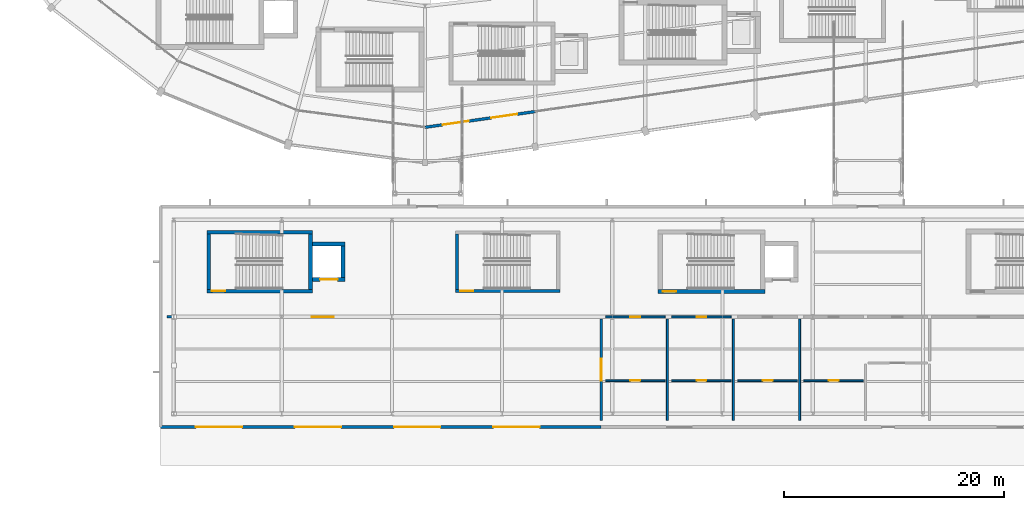
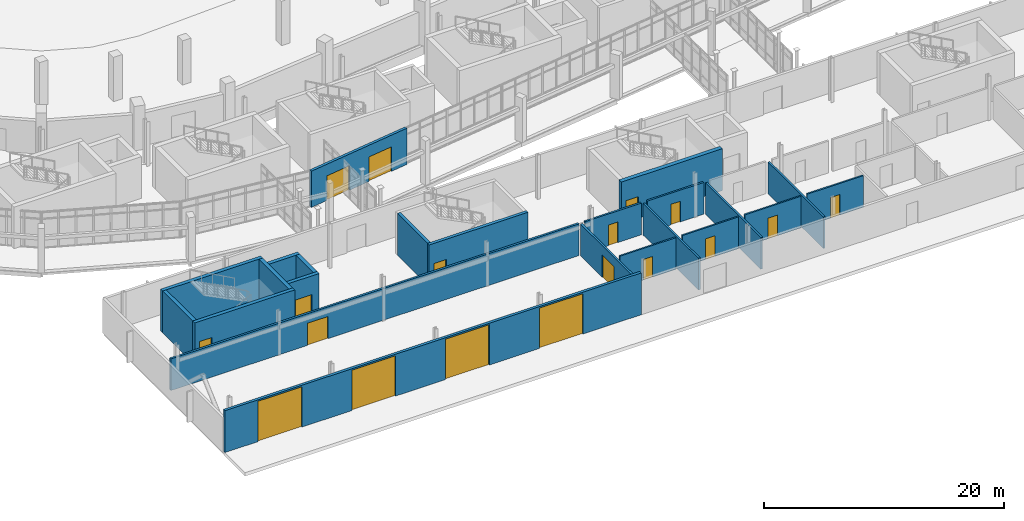
# One storey, part 100 of 122: 23 walls, 18 doors, 18 openings.
"""IFC4 building model written with IfcOpenShell, lengths in metres."""

from ifc_helpers import new_model, si_unit, direction, frame, frame_2d, origin, place, context, subcontext, project, spatial, rectangle, extrude, material, layer, layer_set, type_object, element, fill, save


model = new_model("IFC4")

# Units and contexts
model_context = context("Model", 3, precision=1e-05, world=origin(), true_north=direction((0.0, 1.0)))
body_context = subcontext(model_context, "Body", "Model", "MODEL_VIEW")
ifc_project = project(units=[si_unit("LENGTHUNIT", "METRE"), si_unit("AREAUNIT", "SQUARE_METRE"), si_unit("VOLUMEUNIT", "CUBIC_METRE"), si_unit("PLANEANGLEUNIT", "RADIAN"), si_unit("MASSUNIT", "GRAM", prefix="KILO")], contexts=[model_context])

# Site, building, storey
site_placement = place(None, origin())
site = spatial("IfcSite", under=ifc_project, at=site_placement, CompositionType="ELEMENT")
building_placement = place(site_placement, origin())
building = spatial("IfcBuilding", under=site, at=building_placement, Name="Sohan Crest Arena", CompositionType="ELEMENT")
storey_placement = place(building_placement, origin())
storey = spatial("IfcBuildingStorey", under=building, at=storey_placement, Name="L00", CompositionType="ELEMENT", Elevation=0.0)

# Wall, openings, doors
ifc_material_1 = material(Name="Margalla limestone ashlar envelope wall", Category="masonry")
ifc_layer_1 = layer(ifc_material_1, 0.260009765625, Name="Margalla limestone ashlar envelope wall")
ifc_layer_set_1 = layer_set([ifc_layer_1], Name="Margalla limestone ashlar envelope wall")
wall_type_1 = type_object("IfcWallType", Name="WAL-EW01", PredefinedType="SOLIDWALL", material=ifc_layer_set_1)
wall_1_placement = place(storey_placement, frame((98.0, 33.199951171875, 0.0), z_axis=(0.0, 0.0, 1.0), x_axis=(0.989944175879, 0.141458575718, 0.0)))
wall_1 = element("IfcWall", 1, at=wall_1_placement, inside=storey, type_object=wall_type_1, Name="External wall EW-078", PredefinedType="SOLIDWALL", context=body_context, shape_type="SweptSolid", body=[
    extrude(rectangle(XDim=10.1015625, YDim=0.260009765625, at=frame_2d((5.05078125, 0.0))), origin(), (0.0, 0.0, 1.0), 3.679931640625),
])
opening_1_placement = place(wall_1_placement, frame((1.6279296875, 0.0, 0.0)))
opening_1 = element("IfcOpeningElement", 2, at=opening_1_placement, cuts=wall_1, Name="Opening G05", PredefinedType="OPENING", context=body_context, shape_type="SweptSolid", body=[
    extrude(rectangle(XDim=2.39990234375, YDim=2.5, at=frame_2d((1.199951171875, 1.25))), frame((0.0, 0.139892578125, 0.0), z_axis=(0.0, -1.0, 0.0), x_axis=(1.0, 0.0, 0.0)), (0.0, 0.0, 1.0), 0.280029296875),
])
opening_2_placement = place(wall_1_placement, frame((6.072998046875, 0.0, 0.0)))
opening_2 = element("IfcOpeningElement", 3, at=opening_2_placement, cuts=wall_1, Name="Opening G06", PredefinedType="OPENING", context=body_context, shape_type="SweptSolid", body=[
    extrude(rectangle(XDim=2.39990234375, YDim=2.5, at=frame_2d((1.199951171875, 1.25))), frame((0.0, 0.139892578125, 0.0), z_axis=(0.0, -1.0, 0.0), x_axis=(1.0, 0.0, 0.0)), (0.0, 0.0, 1.0), 0.280029296875),
])
ifc_material_2 = material(Name="Galvanised steel acoustic final exit door", Category="steel")
door_type_1 = type_object("IfcDoorType", Name="DR-G01", OperationType="DOUBLE_DOOR_SINGLE_SWING", PredefinedType="DOOR", material=ifc_material_2)
door_1_placement = place(opening_1_placement, frame((2.39990234375, 0.0, 0.0), z_axis=(0.0, 0.0, 1.0), x_axis=(-1.0, 0.0, 0.0)))
door_1 = element("IfcDoor", 4, at=door_1_placement, inside=storey, type_object=door_type_1, Name="Pedestrian exit gate G05", OperationType="DOUBLE_DOOR_SINGLE_SWING", OverallHeight=2.5, OverallWidth=2.39990234375, PredefinedType="DOOR", context=body_context, shape_type="SweptSolid", body=[
    extrude(rectangle(XDim=2.39990234375, YDim=2.5, at=frame_2d((1.199951171875, 1.25))), frame((0.0, 0.02490234375, 0.0), z_axis=(0.0, -1.0, 0.0), x_axis=(1.0, 0.0, 0.0)), (0.0, 0.0, 1.0), 0.050048828125),
])
fill(opening_1, door_1)
door_2_placement = place(opening_2_placement, frame((2.39990234375, 0.0, 0.0), z_axis=(0.0, 0.0, 1.0), x_axis=(-1.0, 0.0, 0.0)))
door_2 = element("IfcDoor", 5, at=door_2_placement, inside=storey, type_object=door_type_1, Name="Pedestrian exit gate G06", OperationType="DOUBLE_DOOR_SINGLE_SWING", OverallHeight=2.5, OverallWidth=2.39990234375, PredefinedType="DOOR", context=body_context, shape_type="SweptSolid", body=[
    extrude(rectangle(XDim=2.39990234375, YDim=2.5, at=frame_2d((1.199951171875, 1.25))), frame((0.0, 0.02490234375, 0.0), z_axis=(0.0, -1.0, 0.0), x_axis=(1.0, 0.0, 0.0)), (0.0, 0.0, 1.0), 0.050048828125),
])
fill(opening_2, door_2)

wall_2_placement = place(storey_placement, frame((74.0, 6.0, 0.0), z_axis=(0.0, 0.0, 1.0), x_axis=(1.0, 0.0, 0.0)))
wall_2 = element("IfcWall", 6, at=wall_2_placement, inside=storey, type_object=wall_type_1, Name="External wall EW-125", PredefinedType="SOLIDWALL", context=body_context, shape_type="SweptSolid", body=[
    extrude(rectangle(XDim=40.0, YDim=0.260009765625, at=frame_2d((20.0, 0.0))), origin(), (0.0, 0.0, 1.0), 4.25),
])
opening_3_placement = place(wall_2_placement, frame((3.199951171875, 0.0, 0.0)))
opening_3 = element("IfcOpeningElement", 7, at=opening_3_placement, cuts=wall_2, Name="Opening VD-01", PredefinedType="OPENING", context=body_context, shape_type="SweptSolid", body=[
    extrude(rectangle(XDim=4.199951171875, YDim=4.10009765625, at=frame_2d((2.10009765625, 2.050048828125))), frame((0.0, 0.139892578125, 0.0), z_axis=(0.0, -1.0, 0.0), x_axis=(1.0, 0.0, 0.0)), (0.0, 0.0, 1.0), 0.280029296875),
])
opening_4_placement = place(wall_2_placement, frame((12.199951171875, 0.0, 0.0)))
opening_4 = element("IfcOpeningElement", 8, at=opening_4_placement, cuts=wall_2, Name="Opening VD-02", PredefinedType="OPENING", context=body_context, shape_type="SweptSolid", body=[
    extrude(rectangle(XDim=4.199951171875, YDim=4.10009765625, at=frame_2d((2.10009765625, 2.050048828125))), frame((0.0, 0.139892578125, 0.0), z_axis=(0.0, -1.0, 0.0), x_axis=(1.0, 0.0, 0.0)), (0.0, 0.0, 1.0), 0.280029296875),
])
opening_5_placement = place(wall_2_placement, frame((21.199951171875, 0.0, 0.0)))
opening_5 = element("IfcOpeningElement", 9, at=opening_5_placement, cuts=wall_2, Name="Opening VD-03", PredefinedType="OPENING", context=body_context, shape_type="SweptSolid", body=[
    extrude(rectangle(XDim=4.199951171875, YDim=4.10009765625, at=frame_2d((2.10009765625, 2.050048828125))), frame((0.0, 0.139892578125, 0.0), z_axis=(0.0, -1.0, 0.0), x_axis=(1.0, 0.0, 0.0)), (0.0, 0.0, 1.0), 0.280029296875),
])
opening_6_placement = place(wall_2_placement, frame((30.199951171875, 0.0, 0.0)))
opening_6 = element("IfcOpeningElement", 10, at=opening_6_placement, cuts=wall_2, Name="Opening VD-04", PredefinedType="OPENING", context=body_context, shape_type="SweptSolid", body=[
    extrude(rectangle(XDim=4.199951171875, YDim=4.10009765625, at=frame_2d((2.10009765625, 2.050048828125))), frame((0.0, 0.139892578125, 0.0), z_axis=(0.0, -1.0, 0.0), x_axis=(1.0, 0.0, 0.0)), (0.0, 0.0, 1.0), 0.280029296875),
])
ifc_material_3 = material(Name="Insulated motorised steel broadcast bay shutter", Category="steel")
door_type_2 = type_object("IfcDoorType", Name="DR-VD02", OperationType="ROLLINGUP", PredefinedType="DOOR", material=ifc_material_3)
door_3_placement = place(opening_3_placement, frame((4.199951171875, 0.0, 0.0), z_axis=(0.0, 0.0, 1.0), x_axis=(-1.0, 0.0, 0.0)))
door_3 = element("IfcDoor", 11, at=door_3_placement, inside=storey, type_object=door_type_2, Name="Truck loading dock roller shutter VD-01", OperationType="ROLLINGUP", OverallHeight=4.10009765625, OverallWidth=4.199951171875, PredefinedType="DOOR", context=body_context, shape_type="SweptSolid", body=[
    extrude(rectangle(XDim=4.199951171875, YDim=4.10009765625, at=frame_2d((2.10009765625, 2.050048828125))), frame((0.0, 0.02490234375, 0.0), z_axis=(0.0, -1.0, 0.0), x_axis=(1.0, 0.0, 0.0)), (0.0, 0.0, 1.0), 0.050048828125),
])
fill(opening_3, door_3)
door_4_placement = place(opening_4_placement, frame((4.199951171875, 0.0, 0.0), z_axis=(0.0, 0.0, 1.0), x_axis=(-1.0, 0.0, 0.0)))
door_4 = element("IfcDoor", 12, at=door_4_placement, inside=storey, type_object=door_type_2, Name="Truck loading dock roller shutter VD-02", OperationType="ROLLINGUP", OverallHeight=4.10009765625, OverallWidth=4.199951171875, PredefinedType="DOOR", context=body_context, shape_type="SweptSolid", body=[
    extrude(rectangle(XDim=4.199951171875, YDim=4.10009765625, at=frame_2d((2.10009765625, 2.050048828125))), frame((0.0, 0.02490234375, 0.0), z_axis=(0.0, -1.0, 0.0), x_axis=(1.0, 0.0, 0.0)), (0.0, 0.0, 1.0), 0.050048828125),
])
fill(opening_4, door_4)
door_5_placement = place(opening_5_placement, frame((4.199951171875, 0.0, 0.0), z_axis=(0.0, 0.0, 1.0), x_axis=(-1.0, 0.0, 0.0)))
door_5 = element("IfcDoor", 13, at=door_5_placement, inside=storey, type_object=door_type_2, Name="Truck loading dock roller shutter VD-03", OperationType="ROLLINGUP", OverallHeight=4.10009765625, OverallWidth=4.199951171875, PredefinedType="DOOR", context=body_context, shape_type="SweptSolid", body=[
    extrude(rectangle(XDim=4.199951171875, YDim=4.10009765625, at=frame_2d((2.10009765625, 2.050048828125))), frame((0.0, 0.02490234375, 0.0), z_axis=(0.0, -1.0, 0.0), x_axis=(1.0, 0.0, 0.0)), (0.0, 0.0, 1.0), 0.050048828125),
])
fill(opening_5, door_5)
door_6_placement = place(opening_6_placement, frame((4.199951171875, 0.0, 0.0), z_axis=(0.0, 0.0, 1.0), x_axis=(-1.0, 0.0, 0.0)))
door_6 = element("IfcDoor", 14, at=door_6_placement, inside=storey, type_object=door_type_2, Name="Truck loading dock roller shutter VD-04", OperationType="ROLLINGUP", OverallHeight=4.10009765625, OverallWidth=4.199951171875, PredefinedType="DOOR", context=body_context, shape_type="SweptSolid", body=[
    extrude(rectangle(XDim=4.199951171875, YDim=4.10009765625, at=frame_2d((2.10009765625, 2.050048828125))), frame((0.0, 0.02490234375, 0.0), z_axis=(0.0, -1.0, 0.0), x_axis=(1.0, 0.0, 0.0)), (0.0, 0.0, 1.0), 0.050048828125),
])
fill(opening_6, door_6)

# Wall, opening, door
ifc_material_4 = material(Name="Fire-rated masonry blockwork compartment wall", Category="masonry")
ifc_layer_2 = layer(ifc_material_4, 0.199951171875, Name="Fire-rated masonry blockwork compartment wall")
ifc_layer_set_2 = layer_set([ifc_layer_2], Name="Fire-rated masonry blockwork compartment wall")
wall_type_2 = type_object("IfcWallType", Name="WAL-FW01", PredefinedType="PARTITIONING", material=ifc_layer_set_2)
wall_3_placement = place(storey_placement, frame((114.0, 6.60009765625, 0.0), z_axis=(0.0, 0.0, 1.0), x_axis=(0.0, 1.0, 0.0)))
wall_3 = element("IfcWall", 15, at=wall_3_placement, inside=storey, type_object=wall_type_2, Name="Interior partition wall PW-0858", PredefinedType="PARTITIONING", context=body_context, shape_type="SweptSolid", body=[
    extrude(rectangle(XDim=9.199951171875, YDim=0.199951171875, at=frame_2d((4.60009765625, 0.0))), origin(), (0.0, 0.0, 1.0), 3.219970703125),
])
opening_7_placement = place(wall_3_placement, frame((3.60009765625, 0.0, 0.0)))
opening_7 = element("IfcOpeningElement", 16, at=opening_7_placement, cuts=wall_3, Name="Opening DK-0239", PredefinedType="OPENING", context=body_context, shape_type="SweptSolid", body=[
    extrude(rectangle(XDim=2.0, YDim=2.25, at=frame_2d((1.0, 1.125))), frame((0.0, 0.10986328125, 0.0), z_axis=(0.0, -1.0, 0.0), x_axis=(1.0, 0.0, 0.0)), (0.0, 0.0, 1.0), 0.219970703125),
])
ifc_material_5 = material(Name="Fire-rated steel concourse compartment door", Category="steel")
door_type_3 = type_object("IfcDoorType", Name="DR-FD02", OperationType="DOUBLE_DOOR_SINGLE_SWING", PredefinedType="DOOR", material=ifc_material_5)
door_7_placement = place(opening_7_placement, origin())
door_7 = element("IfcDoor", 17, at=door_7_placement, inside=storey, type_object=door_type_3, Name="Loading dock marshalling fire door DK-0239", OperationType="DOUBLE_DOOR_SINGLE_SWING", OverallHeight=2.25, OverallWidth=2.0, PredefinedType="DOOR", context=body_context, shape_type="SweptSolid", body=[
    extrude(rectangle(XDim=2.0, YDim=2.25, at=frame_2d((1.0, 1.125))), frame((0.0, 0.02490234375, 0.0), z_axis=(0.0, -1.0, 0.0), x_axis=(1.0, 0.0, 0.0)), (0.0, 0.0, 1.0), 0.050048828125),
])
fill(opening_7, door_7)

wall_4_placement = place(storey_placement, frame((74.60009765625, 16.0, 0.0), z_axis=(0.0, 0.0, 1.0), x_axis=(1.0, 0.0, 0.0)))
wall_4 = element("IfcWall", 18, at=wall_4_placement, inside=storey, type_object=wall_type_2, Name="Interior partition wall PW-0859", PredefinedType="PARTITIONING", context=body_context, shape_type="SweptSolid", body=[
    extrude(rectangle(XDim=39.199951171875, YDim=0.199951171875, at=frame_2d((19.60009765625, 0.0))), origin(), (0.0, 0.0, 1.0), 3.219970703125),
])
opening_8_placement = place(wall_4_placement, frame((13.112060546875, 0.0, 0.0)))
opening_8 = element("IfcOpeningElement", 19, at=opening_8_placement, cuts=wall_4, Name="Opening DK-0240", PredefinedType="OPENING", context=body_context, shape_type="SweptSolid", body=[
    extrude(rectangle(XDim=2.0, YDim=2.25, at=frame_2d((1.0, 1.125))), frame((0.0, 0.10986328125, 0.0), z_axis=(0.0, -1.0, 0.0), x_axis=(1.0, 0.0, 0.0)), (0.0, 0.0, 1.0), 0.219970703125),
])
door_8_placement = place(opening_8_placement, origin())
door_8 = element("IfcDoor", 20, at=door_8_placement, inside=storey, type_object=door_type_3, Name="Loading dock corridor fire door DK-0240", OperationType="DOUBLE_DOOR_SINGLE_SWING", OverallHeight=2.25, OverallWidth=2.0, PredefinedType="DOOR", context=body_context, shape_type="SweptSolid", body=[
    extrude(rectangle(XDim=2.0, YDim=2.25, at=frame_2d((1.0, 1.125))), frame((0.0, 0.02490234375, 0.0), z_axis=(0.0, -1.0, 0.0), x_axis=(1.0, 0.0, 0.0)), (0.0, 0.0, 1.0), 0.050048828125),
])
fill(opening_8, door_8)

ifc_material_6 = material(Name="Wet-area moisture-resistant masonry partition", Category="masonry")
ifc_layer_3 = layer(ifc_material_6, 0.14990234375, Name="Wet-area moisture-resistant masonry partition")
ifc_layer_set_3 = layer_set([ifc_layer_3], Name="Wet-area moisture-resistant masonry partition")
wall_type_3 = type_object("IfcWallType", Name="WAL-PW03", PredefinedType="PARTITIONING", material=ifc_layer_set_3)
wall_5_placement = place(storey_placement, frame((114.39990234375, 10.199951171875, 0.0), z_axis=(0.0, 0.0, 1.0), x_axis=(1.0, 0.0, 0.0)))
wall_5 = element("IfcWall", 21, at=wall_5_placement, inside=storey, type_object=wall_type_3, Name="Interior partition wall PW-0866", PredefinedType="PARTITIONING", context=body_context, shape_type="SweptSolid", body=[
    extrude(rectangle(XDim=5.400146484375, YDim=0.14990234375, at=frame_2d((2.7001953125, 0.0))), origin(), (0.0, 0.0, 1.0), 3.219970703125),
])
opening_9_placement = place(wall_5_placement, frame((2.25, 0.0, 0.0)))
opening_9 = element("IfcOpeningElement", 22, at=opening_9_placement, cuts=wall_5, Name="Opening TSW-0244", PredefinedType="OPENING", context=body_context, shape_type="SweptSolid", body=[
    extrude(rectangle(XDim=0.89990234375, YDim=2.10009765625, at=frame_2d((0.449951171875, 1.050048828125))), frame((0.0, 0.0849609375, 0.0), z_axis=(0.0, -1.0, 0.0), x_axis=(1.0, 0.0, 0.0)), (0.0, 0.0, 1.0), 0.169921875),
])
ifc_material_7 = material(Name="En-suite shower and toilet room door", Category="wood")
door_type_4 = type_object("IfcDoorType", Name="DR-ID06", OperationType="NOTDEFINED", PredefinedType="DOOR", material=ifc_material_7)
door_9_placement = place(opening_9_placement, origin())
door_9 = element("IfcDoor", 23, at=door_9_placement, inside=storey, type_object=door_type_4, Name="Team 1 shower and accessible WC door TSW-0244", OperationType="SINGLE_SWING_RIGHT", OverallHeight=2.10009765625, OverallWidth=0.89990234375, PredefinedType="DOOR", context=body_context, shape_type="SweptSolid", body=[
    extrude(rectangle(XDim=0.89990234375, YDim=2.10009765625, at=frame_2d((0.449951171875, 1.050048828125))), frame((0.0, 0.02490234375, 0.0), z_axis=(0.0, -1.0, 0.0), x_axis=(1.0, 0.0, 0.0)), (0.0, 0.0, 1.0), 0.050048828125),
])
fill(opening_9, door_9)

wall_6_placement = place(storey_placement, frame((120.39990234375, 10.199951171875, 0.0), z_axis=(0.0, 0.0, 1.0), x_axis=(1.0, 0.0, 0.0)))
wall_6 = element("IfcWall", 24, at=wall_6_placement, inside=storey, type_object=wall_type_3, Name="Interior partition wall PW-0869", PredefinedType="PARTITIONING", context=body_context, shape_type="SweptSolid", body=[
    extrude(rectangle(XDim=5.400146484375, YDim=0.14990234375, at=frame_2d((2.7001953125, 0.0))), origin(), (0.0, 0.0, 1.0), 3.219970703125),
])
opening_10_placement = place(wall_6_placement, frame((2.25, 0.0, 0.0)))
opening_10 = element("IfcOpeningElement", 25, at=opening_10_placement, cuts=wall_6, Name="Opening TSW-0246", PredefinedType="OPENING", context=body_context, shape_type="SweptSolid", body=[
    extrude(rectangle(XDim=0.89990234375, YDim=2.10009765625, at=frame_2d((0.449951171875, 1.050048828125))), frame((0.0, 0.0849609375, 0.0), z_axis=(0.0, -1.0, 0.0), x_axis=(1.0, 0.0, 0.0)), (0.0, 0.0, 1.0), 0.169921875),
])
door_10_placement = place(opening_10_placement, origin())
door_10 = element("IfcDoor", 26, at=door_10_placement, inside=storey, type_object=door_type_4, Name="Team 2 shower and accessible WC door TSW-0246", OperationType="SINGLE_SWING_RIGHT", OverallHeight=2.10009765625, OverallWidth=0.89990234375, PredefinedType="DOOR", context=body_context, shape_type="SweptSolid", body=[
    extrude(rectangle(XDim=0.89990234375, YDim=2.10009765625, at=frame_2d((0.449951171875, 1.050048828125))), frame((0.0, 0.02490234375, 0.0), z_axis=(0.0, -1.0, 0.0), x_axis=(1.0, 0.0, 0.0)), (0.0, 0.0, 1.0), 0.050048828125),
])
fill(opening_10, door_10)

wall_7_placement = place(storey_placement, frame((126.39990234375, 10.199951171875, 0.0), z_axis=(0.0, 0.0, 1.0), x_axis=(1.0, 0.0, 0.0)))
wall_7 = element("IfcWall", 27, at=wall_7_placement, inside=storey, type_object=wall_type_3, Name="Interior partition wall PW-0872", PredefinedType="PARTITIONING", context=body_context, shape_type="SweptSolid", body=[
    extrude(rectangle(XDim=5.400146484375, YDim=0.14990234375, at=frame_2d((2.7001953125, 0.0))), origin(), (0.0, 0.0, 1.0), 3.219970703125),
])
opening_11_placement = place(wall_7_placement, frame((2.25, 0.0, 0.0)))
opening_11 = element("IfcOpeningElement", 28, at=opening_11_placement, cuts=wall_7, Name="Opening TSW-0248", PredefinedType="OPENING", context=body_context, shape_type="SweptSolid", body=[
    extrude(rectangle(XDim=0.89990234375, YDim=2.10009765625, at=frame_2d((0.449951171875, 1.050048828125))), frame((0.0, 0.0849609375, 0.0), z_axis=(0.0, -1.0, 0.0), x_axis=(1.0, 0.0, 0.0)), (0.0, 0.0, 1.0), 0.169921875),
])
door_11_placement = place(opening_11_placement, origin())
door_11 = element("IfcDoor", 29, at=door_11_placement, inside=storey, type_object=door_type_4, Name="Team 3 shower and accessible WC door TSW-0248", OperationType="SINGLE_SWING_RIGHT", OverallHeight=2.10009765625, OverallWidth=0.89990234375, PredefinedType="DOOR", context=body_context, shape_type="SweptSolid", body=[
    extrude(rectangle(XDim=0.89990234375, YDim=2.10009765625, at=frame_2d((0.449951171875, 1.050048828125))), frame((0.0, 0.02490234375, 0.0), z_axis=(0.0, -1.0, 0.0), x_axis=(1.0, 0.0, 0.0)), (0.0, 0.0, 1.0), 0.050048828125),
])
fill(opening_11, door_11)

wall_8_placement = place(storey_placement, frame((132.39990234375, 10.199951171875, 0.0), z_axis=(0.0, 0.0, 1.0), x_axis=(1.0, 0.0, 0.0)))
wall_8 = element("IfcWall", 30, at=wall_8_placement, inside=storey, type_object=wall_type_3, Name="Interior partition wall PW-0874", PredefinedType="PARTITIONING", context=body_context, shape_type="SweptSolid", body=[
    extrude(rectangle(XDim=5.400146484375, YDim=0.14990234375, at=frame_2d((2.7001953125, 0.0))), origin(), (0.0, 0.0, 1.0), 3.219970703125),
])
opening_12_placement = place(wall_8_placement, frame((2.25, 0.0, 0.0)))
opening_12 = element("IfcOpeningElement", 31, at=opening_12_placement, cuts=wall_8, Name="Opening TSW-0250", PredefinedType="OPENING", context=body_context, shape_type="SweptSolid", body=[
    extrude(rectangle(XDim=0.89990234375, YDim=2.10009765625, at=frame_2d((0.449951171875, 1.050048828125))), frame((0.0, 0.0849609375, 0.0), z_axis=(0.0, -1.0, 0.0), x_axis=(1.0, 0.0, 0.0)), (0.0, 0.0, 1.0), 0.169921875),
])
door_12_placement = place(opening_12_placement, origin())
door_12 = element("IfcDoor", 32, at=door_12_placement, inside=storey, type_object=door_type_4, Name="Team 4 shower and accessible WC door TSW-0250", OperationType="SINGLE_SWING_RIGHT", OverallHeight=2.10009765625, OverallWidth=0.89990234375, PredefinedType="DOOR", context=body_context, shape_type="SweptSolid", body=[
    extrude(rectangle(XDim=0.89990234375, YDim=2.10009765625, at=frame_2d((0.449951171875, 1.050048828125))), frame((0.0, 0.02490234375, 0.0), z_axis=(0.0, -1.0, 0.0), x_axis=(1.0, 0.0, 0.0)), (0.0, 0.0, 1.0), 0.050048828125),
])
fill(opening_12, door_12)

# Wall
ifc_material_8 = material(Name="Back-of-house masonry room partition", Category="masonry")
ifc_layer_4 = layer(ifc_material_8, 0.179931640625, Name="Back-of-house masonry room partition")
ifc_layer_set_4 = layer_set([ifc_layer_4], Name="Back-of-house masonry room partition")
wall_type_4 = type_object("IfcWallType", Name="WAL-PW05", PredefinedType="PARTITIONING", material=ifc_layer_set_4)
wall_9_placement = place(storey_placement, frame((120.0, 6.60009765625, 0.0), z_axis=(0.0, 0.0, 1.0), x_axis=(0.0, 1.0, 0.0)))
element("IfcWall", 33, at=wall_9_placement, inside=storey, type_object=wall_type_4, Name="Interior partition wall PW-0864", PredefinedType="PARTITIONING", context=body_context, shape_type="SweptSolid", body=[
    extrude(rectangle(XDim=9.199951171875, YDim=0.179931640625, at=frame_2d((4.60009765625, 0.0))), origin(), (0.0, 0.0, 1.0), 3.219970703125),
])

# Wall, opening, door
wall_10_placement = place(storey_placement, frame((114.39990234375, 16.0, 0.0), z_axis=(0.0, 0.0, 1.0), x_axis=(1.0, 0.0, 0.0)))
wall_10 = element("IfcWall", 34, at=wall_10_placement, inside=storey, type_object=wall_type_4, Name="Interior partition wall PW-0865", PredefinedType="PARTITIONING", context=body_context, shape_type="SweptSolid", body=[
    extrude(rectangle(XDim=5.400146484375, YDim=0.179931640625, at=frame_2d((2.7001953125, 0.0))), origin(), (0.0, 0.0, 1.0), 3.219970703125),
])
opening_13_placement = place(wall_10_placement, frame((2.239990234375, 0.0, 0.0)))
opening_13 = element("IfcOpeningElement", 35, at=opening_13_placement, cuts=wall_10, Name="Opening TD-0243", PredefinedType="OPENING", context=body_context, shape_type="SweptSolid", body=[
    extrude(rectangle(XDim=0.919921875, YDim=2.10009765625, at=frame_2d((0.4599609375, 1.050048828125))), frame((0.0, 0.099853515625, 0.0), z_axis=(0.0, -1.0, 0.0), x_axis=(1.0, 0.0, 0.0)), (0.0, 0.0, 1.0), 0.199951171875),
])
ifc_material_9 = material(Name="Standard room and changing room door", Category="wood")
door_type_5 = type_object("IfcDoorType", Name="DR-ID05", OperationType="NOTDEFINED", PredefinedType="DOOR", material=ifc_material_9)
door_13_placement = place(opening_13_placement, origin())
door_13 = element("IfcDoor", 36, at=door_13_placement, inside=storey, type_object=door_type_5, Name="Team dressing suite 1 door TD-0243", OperationType="SINGLE_SWING_LEFT", OverallHeight=2.10009765625, OverallWidth=0.919921875, PredefinedType="DOOR", context=body_context, shape_type="SweptSolid", body=[
    extrude(rectangle(XDim=0.919921875, YDim=2.10009765625, at=frame_2d((0.4599609375, 1.050048828125))), frame((0.0, 0.02490234375, 0.0), z_axis=(0.0, -1.0, 0.0), x_axis=(1.0, 0.0, 0.0)), (0.0, 0.0, 1.0), 0.050048828125),
])
fill(opening_13, door_13)

# Wall
wall_11_placement = place(storey_placement, frame((126.0, 6.60009765625, 0.0), z_axis=(0.0, 0.0, 1.0), x_axis=(0.0, 1.0, 0.0)))
element("IfcWall", 37, at=wall_11_placement, inside=storey, type_object=wall_type_4, Name="Interior partition wall PW-0867", PredefinedType="PARTITIONING", context=body_context, shape_type="SweptSolid", body=[
    extrude(rectangle(XDim=9.199951171875, YDim=0.179931640625, at=frame_2d((4.60009765625, 0.0))), origin(), (0.0, 0.0, 1.0), 3.219970703125),
])

# Wall, opening, door
wall_12_placement = place(storey_placement, frame((120.39990234375, 16.0, 0.0), z_axis=(0.0, 0.0, 1.0), x_axis=(1.0, 0.0, 0.0)))
wall_12 = element("IfcWall", 38, at=wall_12_placement, inside=storey, type_object=wall_type_4, Name="Interior partition wall PW-0868", PredefinedType="PARTITIONING", context=body_context, shape_type="SweptSolid", body=[
    extrude(rectangle(XDim=5.400146484375, YDim=0.179931640625, at=frame_2d((2.7001953125, 0.0))), origin(), (0.0, 0.0, 1.0), 3.219970703125),
])
opening_14_placement = place(wall_12_placement, frame((2.25, 0.0, 0.0)))
opening_14 = element("IfcOpeningElement", 39, at=opening_14_placement, cuts=wall_12, Name="Opening TD-0245", PredefinedType="OPENING", context=body_context, shape_type="SweptSolid", body=[
    extrude(rectangle(XDim=0.89990234375, YDim=2.10009765625, at=frame_2d((0.449951171875, 1.050048828125))), frame((0.0, 0.099853515625, 0.0), z_axis=(0.0, -1.0, 0.0), x_axis=(1.0, 0.0, 0.0)), (0.0, 0.0, 1.0), 0.199951171875),
])
door_14_placement = place(opening_14_placement, origin())
door_14 = element("IfcDoor", 40, at=door_14_placement, inside=storey, type_object=door_type_4, Name="Team dressing suite 2 door TD-0245", OperationType="SINGLE_SWING_LEFT", OverallHeight=2.10009765625, OverallWidth=0.89990234375, PredefinedType="DOOR", context=body_context, shape_type="SweptSolid", body=[
    extrude(rectangle(XDim=0.89990234375, YDim=2.10009765625, at=frame_2d((0.449951171875, 1.050048828125))), frame((0.0, 0.02490234375, 0.0), z_axis=(0.0, -1.0, 0.0), x_axis=(1.0, 0.0, 0.0)), (0.0, 0.0, 1.0), 0.050048828125),
])
fill(opening_14, door_14)

# Walls
wall_13_placement = place(storey_placement, frame((132.0, 6.60009765625, 0.0), z_axis=(0.0, 0.0, 1.0), x_axis=(0.0, 1.0, 0.0)))
element("IfcWall", 41, at=wall_13_placement, inside=storey, type_object=wall_type_4, Name="Interior partition wall PW-0870", PredefinedType="PARTITIONING", context=body_context, shape_type="SweptSolid", body=[
    extrude(rectangle(XDim=9.199951171875, YDim=0.179931640625, at=frame_2d((4.60009765625, 0.0))), origin(), (0.0, 0.0, 1.0), 3.219970703125),
])
ifc_material_10 = material(Name="Concrete C40/50", Category="concrete")
ifc_layer_5 = layer(ifc_material_10, 0.300048828125, Name="Concrete C40/50")
ifc_layer_set_5 = layer_set([ifc_layer_5], Name="Concrete C40/50")
wall_type_5 = type_object("IfcWallType", Name="WAL-SW01", PredefinedType="SHEAR", material=ifc_layer_set_5)
wall_14_placement = place(storey_placement, frame((100.89990234375, 18.5, 0.0), z_axis=(0.0, 0.0, 1.0), x_axis=(0.0, 1.0, 0.0)))
element("IfcWall", 42, at=wall_14_placement, inside=storey, type_object=wall_type_5, Name="Core shear wall SW-0511", PredefinedType="SHEAR", context=body_context, shape_type="SweptSolid", body=[
    extrude(rectangle(XDim=5.0, YDim=0.300048828125, at=frame_2d((2.5, 0.0))), origin(), (0.0, 0.0, 1.0), 4.25),
])

# Wall, opening, door
wall_15_placement = place(storey_placement, frame((100.75, 18.35009765625, 0.0), z_axis=(0.0, 0.0, 1.0), x_axis=(1.0, 0.0, 0.0)))
wall_15 = element("IfcWall", 43, at=wall_15_placement, inside=storey, type_object=wall_type_5, Name="Core shear wall SW-0513", PredefinedType="SHEAR", context=body_context, shape_type="SweptSolid", body=[
    extrude(rectangle(XDim=9.5, YDim=0.300048828125, at=frame_2d((4.75, 0.0))), origin(), (0.0, 0.0, 1.0), 4.25),
])
opening_15_placement = place(wall_15_placement, frame((0.449951171875, 0.0, 0.0)))
opening_15 = element("IfcOpeningElement", 44, at=opening_15_placement, cuts=wall_15, Name="Opening SD-0141", PredefinedType="OPENING", context=body_context, shape_type="SweptSolid", body=[
    extrude(rectangle(XDim=1.199951171875, YDim=2.199951171875, at=frame_2d((0.60009765625, 1.10009765625))), frame((0.0, 0.159912109375, 0.0), z_axis=(0.0, -1.0, 0.0), x_axis=(1.0, 0.0, 0.0)), (0.0, 0.0, 1.0), 0.320068359375),
])
ifc_material_11 = material(Name="Fire-rated steel stair and lobby door", Category="steel")
door_type_6 = type_object("IfcDoorType", Name="DR-FD04", OperationType="NOTDEFINED", PredefinedType="DOOR", material=ifc_material_11)
door_15_placement = place(opening_15_placement, frame((1.199951171875, 0.0, 0.0), z_axis=(0.0, 0.0, 1.0), x_axis=(-1.0, 0.0, 0.0)))
door_15 = element("IfcDoor", 45, at=door_15_placement, inside=storey, type_object=door_type_6, Name="Protected stair door SD-0141", OperationType="SINGLE_SWING_LEFT", OverallHeight=2.199951171875, OverallWidth=1.199951171875, PredefinedType="DOOR", context=body_context, shape_type="SweptSolid", body=[
    extrude(rectangle(XDim=1.199951171875, YDim=2.199951171875, at=frame_2d((0.60009765625, 1.10009765625))), frame((0.0, 0.02490234375, 0.0), z_axis=(0.0, -1.0, 0.0), x_axis=(1.0, 0.0, 0.0)), (0.0, 0.0, 1.0), 0.050048828125),
])
fill(opening_15, door_15)

# Walls
ifc_layer_6 = layer(ifc_material_10, 0.35009765625, Name="Concrete C40/50")
ifc_layer_set_6 = layer_set([ifc_layer_6], Name="Concrete C40/50")
wall_type_6 = type_object("IfcWallType", Name="WAL-SW02", PredefinedType="SHEAR", material=ifc_layer_set_6)
for number, where, z_axis, x_axis, name in (
    (46, (78.375, 18.5, 0.0), (0.0, 0.0, 1.0), (0.0, 1.0, 0.0), "Core shear wall SW-0656"),
    (47, (87.625, 18.5, 0.0), (0.0, 0.0, 1.0), (0.0, 1.0, 0.0), "Core shear wall SW-0657"),
):
    element("IfcWall", number, at=place(storey_placement, frame(where, z_axis=z_axis, x_axis=x_axis)), inside=storey, type_object=wall_type_6, Name=name, PredefinedType="SHEAR", context=body_context, shape_type="SweptSolid", body=[
        extrude(rectangle(XDim=5.0, YDim=0.35009765625, at=frame_2d((2.5, 0.0))), origin(), (0.0, 0.0, 1.0), 4.25),
    ])

# Wall, opening, door
wall_16_placement = place(storey_placement, frame((78.199951171875, 18.324951171875, 0.0), z_axis=(0.0, 0.0, 1.0), x_axis=(1.0, 0.0, 0.0)))
wall_16 = element("IfcWall", 48, at=wall_16_placement, inside=storey, type_object=wall_type_6, Name="Core shear wall SW-0658", PredefinedType="SHEAR", context=body_context, shape_type="SweptSolid", body=[
    extrude(rectangle(XDim=9.60009765625, YDim=0.35009765625, at=frame_2d((4.800048828125, 0.0))), origin(), (0.0, 0.0, 1.0), 4.25),
])
opening_16_placement = place(wall_16_placement, frame((0.449951171875, 0.0, 0.0)))
opening_16 = element("IfcOpeningElement", 49, at=opening_16_placement, cuts=wall_16, Name="Opening SD-0177", PredefinedType="OPENING", context=body_context, shape_type="SweptSolid", body=[
    extrude(rectangle(XDim=1.199951171875, YDim=2.199951171875, at=frame_2d((0.60009765625, 1.10009765625))), frame((0.0, 0.18505859375, 0.0), z_axis=(0.0, -1.0, 0.0), x_axis=(1.0, 0.0, 0.0)), (0.0, 0.0, 1.0), 0.3701171875),
])
door_16_placement = place(opening_16_placement, frame((1.199951171875, 0.0, 0.0), z_axis=(0.0, 0.0, 1.0), x_axis=(-1.0, 0.0, 0.0)))
door_16 = element("IfcDoor", 50, at=door_16_placement, inside=storey, type_object=door_type_6, Name="Protected stair door SD-0177", OperationType="SINGLE_SWING_RIGHT", OverallHeight=2.199951171875, OverallWidth=1.199951171875, PredefinedType="DOOR", context=body_context, shape_type="SweptSolid", body=[
    extrude(rectangle(XDim=1.199951171875, YDim=2.199951171875, at=frame_2d((0.60009765625, 1.10009765625))), frame((0.0, 0.02490234375, 0.0), z_axis=(0.0, -1.0, 0.0), x_axis=(1.0, 0.0, 0.0)), (0.0, 0.0, 1.0), 0.050048828125),
])
fill(opening_16, door_16)

# Walls
wall_17_placement = place(storey_placement, frame((78.199951171875, 23.675048828125, 0.0), z_axis=(0.0, 0.0, 1.0), x_axis=(1.0, 0.0, 0.0)))
element("IfcWall", 51, at=wall_17_placement, inside=storey, type_object=wall_type_6, Name="Core shear wall SW-0659", PredefinedType="SHEAR", context=body_context, shape_type="SweptSolid", body=[
    extrude(rectangle(XDim=9.60009765625, YDim=0.35009765625, at=frame_2d((4.800048828125, 0.0))), origin(), (0.0, 0.0, 1.0), 4.25),
])
wall_18_placement = place(storey_placement, frame((90.574951171875, 19.550048828125, 0.0), z_axis=(0.0, 0.0, 1.0), x_axis=(0.0, 1.0, 0.0)))
element("IfcWall", 52, at=wall_18_placement, inside=storey, type_object=wall_type_6, Name="Core shear wall SW-0660", PredefinedType="SHEAR", context=body_context, shape_type="SweptSolid", body=[
    extrude(rectangle(XDim=2.89990234375, YDim=0.35009765625, at=frame_2d((1.449951171875, 0.0))), origin(), (0.0, 0.0, 1.0), 4.25),
])

# Wall, opening, door
wall_19_placement = place(storey_placement, frame((87.800048828125, 19.375, 0.0), z_axis=(0.0, 0.0, 1.0), x_axis=(1.0, 0.0, 0.0)))
wall_19 = element("IfcWall", 53, at=wall_19_placement, inside=storey, type_object=wall_type_6, Name="Core shear wall SW-0661", PredefinedType="SHEAR", context=body_context, shape_type="SweptSolid", body=[
    extrude(rectangle(XDim=2.949951171875, YDim=0.35009765625, at=frame_2d((1.47509765625, 0.0))), origin(), (0.0, 0.0, 1.0), 4.25),
])
opening_17_placement = place(wall_19_placement, frame((0.675048828125, 0.0, 0.0)))
opening_17 = element("IfcOpeningElement", 54, at=opening_17_placement, cuts=wall_19, Name="Opening LD-GF01-L00", PredefinedType="OPENING", context=body_context, shape_type="SweptSolid", body=[
    extrude(rectangle(XDim=1.60009765625, YDim=2.35009765625, at=frame_2d((0.800048828125, 1.175048828125))), frame((0.0, 0.18505859375, 0.0), z_axis=(0.0, -1.0, 0.0), x_axis=(1.0, 0.0, 0.0)), (0.0, 0.0, 1.0), 0.3701171875),
])
ifc_material_12 = material(Name="Stainless steel goods lift landing door", Category="steel")
door_type_7 = type_object("IfcDoorType", Name="DR-LD03", OperationType="SLIDING_TO_LEFT", PredefinedType="DOOR", material=ifc_material_12)
door_17_placement = place(opening_17_placement, origin())
door_17 = element("IfcDoor", 55, at=door_17_placement, inside=storey, type_object=door_type_7, Name="Sliding lift landing door LD-GF01-L00", OperationType="SLIDING_TO_LEFT", OverallHeight=2.35009765625, OverallWidth=1.60009765625, PredefinedType="DOOR", context=body_context, shape_type="SweptSolid", body=[
    extrude(rectangle(XDim=1.60009765625, YDim=2.35009765625, at=frame_2d((0.800048828125, 1.175048828125))), frame((0.0, 0.02490234375, 0.0), z_axis=(0.0, -1.0, 0.0), x_axis=(1.0, 0.0, 0.0)), (0.0, 0.0, 1.0), 0.050048828125),
])
fill(opening_17, door_17)

# Wall
wall_20_placement = place(storey_placement, frame((87.800048828125, 22.625, 0.0), z_axis=(0.0, 0.0, 1.0), x_axis=(1.0, 0.0, 0.0)))
element("IfcWall", 56, at=wall_20_placement, inside=storey, type_object=wall_type_6, Name="Core shear wall SW-0662", PredefinedType="SHEAR", context=body_context, shape_type="SweptSolid", body=[
    extrude(rectangle(XDim=2.949951171875, YDim=0.35009765625, at=frame_2d((1.47509765625, 0.0))), origin(), (0.0, 0.0, 1.0), 4.25),
])

# Wall, opening, door
ifc_layer_7 = layer(ifc_material_10, 0.39990234375, Name="Concrete C40/50")
ifc_layer_set_7 = layer_set([ifc_layer_7], Name="Concrete C40/50")
wall_type_7 = type_object("IfcWallType", Name="WAL-SW03", PredefinedType="SHEAR", material=ifc_layer_set_7)
wall_21_placement = place(storey_placement, frame((119.14990234375, 18.300048828125, 0.0), z_axis=(0.0, 0.0, 1.0), x_axis=(1.0, 0.0, 0.0)))
wall_21 = element("IfcWall", 57, at=wall_21_placement, inside=storey, type_object=wall_type_7, Name="Core shear wall SW-0700", PredefinedType="SHEAR", context=body_context, shape_type="SweptSolid", body=[
    extrude(rectangle(XDim=9.7001953125, YDim=0.39990234375, at=frame_2d((4.85009765625, 0.0))), origin(), (0.0, 0.0, 1.0), 4.25),
])
opening_18_placement = place(wall_21_placement, frame((0.449951171875, 0.0, 0.0)))
opening_18 = element("IfcOpeningElement", 58, at=opening_18_placement, cuts=wall_21, Name="Opening SD-0189", PredefinedType="OPENING", context=body_context, shape_type="SweptSolid", body=[
    extrude(rectangle(XDim=1.199951171875, YDim=2.199951171875, at=frame_2d((0.60009765625, 1.10009765625))), frame((0.0, 0.2099609375, 0.0), z_axis=(0.0, -1.0, 0.0), x_axis=(1.0, 0.0, 0.0)), (0.0, 0.0, 1.0), 0.419921875),
])
door_18_placement = place(opening_18_placement, frame((1.199951171875, 0.0, 0.0), z_axis=(0.0, 0.0, 1.0), x_axis=(-1.0, 0.0, 0.0)))
door_18 = element("IfcDoor", 59, at=door_18_placement, inside=storey, type_object=door_type_6, Name="Protected stair door SD-0189", OperationType="SINGLE_SWING_RIGHT", OverallHeight=2.199951171875, OverallWidth=1.199951171875, PredefinedType="DOOR", context=body_context, shape_type="SweptSolid", body=[
    extrude(rectangle(XDim=1.199951171875, YDim=2.199951171875, at=frame_2d((0.60009765625, 1.10009765625))), frame((0.0, 0.02490234375, 0.0), z_axis=(0.0, -1.0, 0.0), x_axis=(1.0, 0.0, 0.0)), (0.0, 0.0, 1.0), 0.050048828125),
])
fill(opening_18, door_18)

save(model, "model.ifc")
